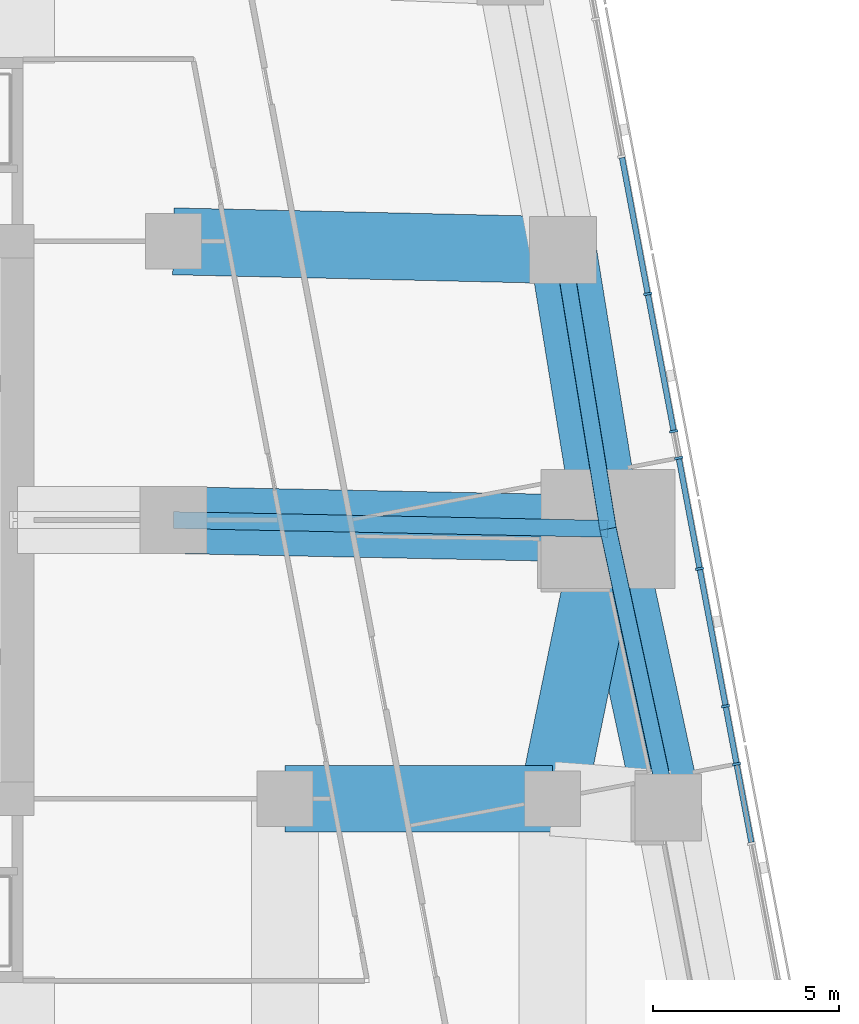
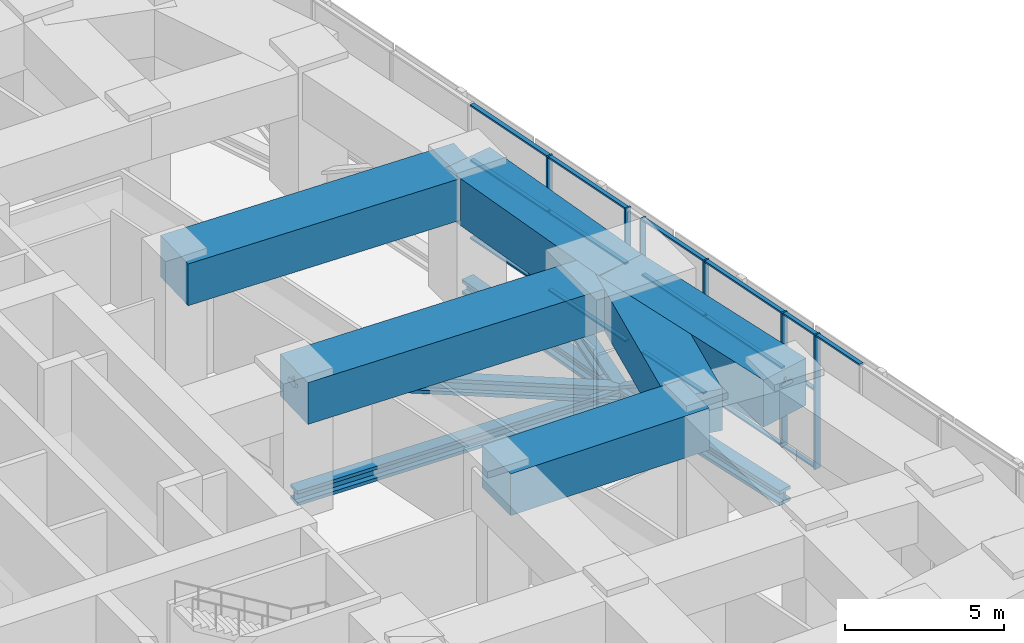
# One storey, part 6 of 17: 28 members, 6 beams, 1 element without a shape of its own.
"""IFC4 building model written with IfcOpenShell, lengths in metres."""

from ifc_helpers import new_model, si_unit, direction, frame, origin, origin_2d, place, context, subcontext, project, spatial, rectangle, i_section, extrude, material, material_profile, profile_set, type_object, element, aggregate, save


model = new_model("IFC4")

# Units and contexts
model_context = context("Model", 3, precision=1e-05, world=origin(), true_north=direction((0.0, 1.0)))
body_context = subcontext(model_context, "Body", "Model", "MODEL_VIEW")
ifc_project = project(units=[si_unit("LENGTHUNIT", "METRE"), si_unit("AREAUNIT", "SQUARE_METRE"), si_unit("VOLUMEUNIT", "CUBIC_METRE"), si_unit("PLANEANGLEUNIT", "RADIAN"), si_unit("MASSUNIT", "GRAM", prefix="KILO")], contexts=[model_context])

# Site, building, storey
site_placement = place(None, origin())
site = spatial("IfcSite", under=ifc_project, at=site_placement, CompositionType="ELEMENT")
building_placement = place(site_placement, origin())
building = spatial("IfcBuilding", under=site, at=building_placement, Name="Sheger Commons Tower", CompositionType="ELEMENT")
storey_placement = place(building_placement, frame((0.0, 0.0, 188.300048828125)))
storey = spatial("IfcBuildingStorey", under=building, at=storey_placement, Name="L48", CompositionType="ELEMENT", Elevation=188.300048828125)

# Beams
ifc_material_1 = material(Name="Concrete C50/60", Category="concrete")
ifc_material_profile_1 = material_profile(ifc_material_1, rectangle(XDim=1.800048828125, YDim=1.60009765625, at=origin_2d()), Name="RC 1800x1600")
ifc_profile_set_1 = profile_set([ifc_material_profile_1], Name="Concrete C50/60")
beam_type_1 = type_object("IfcBeamType", Name="BEAM RC 1800x1600", PredefinedType="BEAM", material=ifc_profile_set_1)
beam_1_placement = place(storey_placement, frame((36.0, 15.0, 4.349853515625), z_axis=(1.0, 0.0, 0.0), x_axis=(0.0, 1.0, 0.0)))
element("IfcBeam", 1, at=beam_1_placement, inside=storey, type_object=beam_type_1, Name="Beam 6/C-7/C under L49", PredefinedType="BEAM", context=body_context, shape_type="SweptSolid", body=[
    extrude(rectangle(XDim=1.800048828125, YDim=1.60009765625, at=origin_2d()), origin(), (0.0, 0.0, 1.0), 7.199951171875),
])
beam_2_placement = place(storey_placement, frame((33.0, 22.5, 4.349853515625), z_axis=(0.999794692776, -0.02026258368, 0.0), x_axis=(0.02026258368, 0.999794692776, 0.0)))
element("IfcBeam", 2, at=beam_2_placement, inside=storey, type_object=beam_type_1, Name="Beam 6-3000/D-7/D under L49", PredefinedType="BEAM", context=body_context, shape_type="SweptSolid", body=[
    extrude(rectangle(XDim=1.800048828125, YDim=1.60009765625, at=origin_2d()), origin(), (0.0, 0.0, 1.0), 11.699462890625),
])
beam_3_placement = place(storey_placement, frame((33.0, 30.0, 4.349853515625), z_axis=(0.999744258625, -0.022614538395, 0.0), x_axis=(0.022614538395, 0.999744258625, 0.0)))
element("IfcBeam", 3, at=beam_3_placement, inside=storey, type_object=beam_type_1, Name="Beam 6-3000/E-E/E under L49", PredefinedType="BEAM", context=body_context, shape_type="SweptSolid", body=[
    extrude(rectangle(XDim=1.800048828125, YDim=1.60009765625, at=origin_2d()), origin(), (0.0, 0.0, 1.0), 10.482666015625),
])
beam_4_placement = place(storey_placement, frame((43.199951171875, 15.0, 4.349853515625), z_axis=(0.201880503661, 0.979410160373, 0.0), x_axis=(-0.979410160373, 0.201880503661, 0.0)))
element("IfcBeam", 4, at=beam_4_placement, inside=storey, type_object=beam_type_1, Name="Beam 7/C-7/D under L49", PredefinedType="BEAM", context=body_context, shape_type="SweptSolid", body=[
    extrude(rectangle(XDim=1.800048828125, YDim=1.60009765625, at=origin_2d()), origin(), (0.0, 0.0, 1.0), 7.41552734375),
])

# Members
ifc_material_2 = material(Name="Steel S460", Category="steel")
ifc_material_profile_2 = material_profile(ifc_material_2, i_section(OverallWidth=0.4541015625, OverallDepth=0.569091796875, WebThickness=0.077880859375, FlangeThickness=0.125, at=origin_2d()), Name="HD 400x1086")
ifc_profile_set_2 = profile_set([ifc_material_profile_2], Name="Steel S460")
member_type_1 = type_object("IfcMemberType", Name="BRACE HD 400x1086", PredefinedType="BRACE", material=ifc_profile_set_2)
member_1_placement = place(storey_placement, frame((33.0, 22.5, 4.849853515625), z_axis=(0.931812546778, -0.01888480689, -0.36244826077), x_axis=(0.02026258368, 0.999794692776, 0.0)))
element("IfcMember", 5, at=member_1_placement, inside=storey, type_object=member_type_1, Name="Outrigger E diagonal 2", PredefinedType="BRACE", context=body_context, shape_type="SweptSolid", body=[
    extrude(i_section(OverallWidth=0.4541015625, OverallDepth=0.569091796875, WebThickness=0.077880859375, FlangeThickness=0.125, at=origin_2d()), origin(), (0.0, 0.0, 1.0), 12.552978515625),
])
ifc_material_3 = material(Name="Steel S460", Category="steel")
ifc_material_profile_3 = material_profile(ifc_material_3, i_section(OverallWidth=0.44189453125, OverallDepth=0.531005859375, WebThickness=0.06591796875, FlangeThickness=0.10595703125, at=origin_2d()), Name="HD 400x900")
ifc_profile_set_3 = profile_set([ifc_material_profile_3], Name="Steel S460")
member_type_2 = type_object("IfcMemberType", Name="BRACE HD 400x900", PredefinedType="BRACE", material=ifc_profile_set_3)
member_2_placement = place(storey_placement, frame((44.697021484375, 22.262939453125, 0.300048828125), z_axis=(0.181273011531, -0.840813364675, 0.510071545055), x_axis=(0.977539943348, 0.210750229323, 0.0)))
element("IfcMember", 6, at=member_2_placement, inside=storey, type_object=member_type_2, Name="Belt truss diagonal 46.314,14.763-44.697,22.263", PredefinedType="BRACE", context=body_context, shape_type="SweptSolid", body=[
    extrude(i_section(OverallWidth=0.44189453125, OverallDepth=0.531005859375, WebThickness=0.06591796875, FlangeThickness=0.10595703125, at=origin_2d()), origin(), (0.0, 0.0, 1.0), 8.919921875),
])
member_3_placement = place(storey_placement, frame((44.697021484375, 22.262939453125, 0.300048828125), z_axis=(-0.137422806885, 0.846866324477, 0.513743516372), x_axis=(-0.987088319884, -0.160176929512, 0.0)))
element("IfcMember", 7, at=member_3_placement, inside=storey, type_object=member_type_2, Name="Belt truss diagonal 44.697,22.263-43.480,29.763", PredefinedType="BRACE", context=body_context, shape_type="SweptSolid", body=[
    extrude(i_section(OverallWidth=0.44189453125, OverallDepth=0.531005859375, WebThickness=0.06591796875, FlangeThickness=0.10595703125, at=origin_2d()), origin(), (0.0, 0.0, 1.0), 8.856201171875),
])
ifc_material_4 = material(Name="Steel S460", Category="steel")
ifc_material_profile_4 = material_profile(ifc_material_4, i_section(OverallWidth=0.4541015625, OverallDepth=0.569091796875, WebThickness=0.077880859375, FlangeThickness=0.125, at=origin_2d()), Name="HD 400x1086")
ifc_profile_set_4 = profile_set([ifc_material_profile_4], Name="Steel S460")
member_type_3 = type_object("IfcMemberType", Name="CHORD HD 400x1086", PredefinedType="CHORD", material=ifc_profile_set_4)
member_4_placement = place(storey_placement, frame((46.31396484375, 14.762939453125, 0.300048828125), z_axis=(-0.210750229323, 0.977539943348, 0.0), x_axis=(-0.977539943348, -0.210750229323, 0.0)))
element("IfcMember", 8, at=member_4_placement, inside=storey, type_object=member_type_3, Name="Belt truss bottom chord 46.314,14.763-44.697,22.263", PredefinedType="CHORD", context=body_context, shape_type="SweptSolid", body=[
    extrude(i_section(OverallWidth=0.4541015625, OverallDepth=0.569091796875, WebThickness=0.077880859375, FlangeThickness=0.125, at=origin_2d()), origin(), (0.0, 0.0, 1.0), 7.67236328125),
])
member_5_placement = place(storey_placement, frame((44.697021484375, 22.262939453125, 0.300048828125), z_axis=(-0.160176929512, 0.987088319884, 0.0), x_axis=(-0.987088319884, -0.160176929512, 0.0)))
element("IfcMember", 9, at=member_5_placement, inside=storey, type_object=member_type_3, Name="Belt truss bottom chord 44.697,22.263-43.480,29.763", PredefinedType="CHORD", context=body_context, shape_type="SweptSolid", body=[
    extrude(i_section(OverallWidth=0.4541015625, OverallDepth=0.569091796875, WebThickness=0.077880859375, FlangeThickness=0.125, at=origin_2d()), origin(), (0.0, 0.0, 1.0), 7.59814453125),
])
member_6_placement = place(storey_placement, frame((33.0, 22.5, 0.300048828125), z_axis=(0.999794692776, -0.02026258368, 0.0), x_axis=(0.02026258368, 0.999794692776, 0.0)))
element("IfcMember", 10, at=member_6_placement, inside=storey, type_object=member_type_3, Name="Outrigger E bottom chord 6-3000/D-44.697,22.263", PredefinedType="CHORD", context=body_context, shape_type="SweptSolid", body=[
    extrude(i_section(OverallWidth=0.4541015625, OverallDepth=0.569091796875, WebThickness=0.077880859375, FlangeThickness=0.125, at=origin_2d()), origin(), (0.0, 0.0, 1.0), 11.699462890625),
])

# Curtain wall, members
ifc_material_5 = material(Name="Black aluminium curtain wall, dark tinted glazing", Category="aluminium")
curtain_wall_type = type_object("IfcCurtainWallType", Name="CURTAIN WALL CW3 SKY FLOOR", PredefinedType="USERDEFINED", material=ifc_material_5)
curtain_wall_placement = place(storey_placement, origin())
curtain_wall = element("IfcCurtainWall", 11, at=curtain_wall_placement, inside=storey, type_object=curtain_wall_type, Name="Curtain Wall Cw3 Sky Floor E1 L48", ObjectType="UNITISED CURTAIN WALL", PredefinedType="USERDEFINED")
ifc_material_6 = material(Name="Black anodised aluminium", Category="aluminium")
ifc_material_profile_5 = material_profile(ifc_material_6, rectangle(XDim=0.22509765625, YDim=0.06494140625, at=origin_2d()), Name="AL 65x225")
ifc_profile_set_5 = profile_set([ifc_material_profile_5], Name="Black anodised aluminium")
member_type_4 = type_object("IfcMemberType", Name="MULLION AL 65x225", PredefinedType="MULLION", material=ifc_profile_set_5)
member_7_placement = place(storey_placement, frame((48.1533203125, 15.93603515625, 0.0), z_axis=(0.0, 0.0, 1.0), x_axis=(-0.982623514181, -0.185609884918, 0.0)))
member_7 = element("IfcMember", 12, at=member_7_placement, type_object=member_type_4, Name="CW3 mullion 5", PredefinedType="MULLION", context=body_context, shape_type="SweptSolid", body=[
    extrude(rectangle(XDim=0.22509765625, YDim=0.06494140625, at=origin_2d()), origin(), (0.0, 0.0, 1.0), 5.14990234375),
])
member_8_placement = place(storey_placement, frame((47.859130859375, 17.493408203125, 0.0), z_axis=(0.0, 0.0, 1.0), x_axis=(-0.982623514181, -0.185609884918, 0.0)))
member_8 = element("IfcMember", 13, at=member_8_placement, type_object=member_type_4, Name="CW3 mullion 6", PredefinedType="MULLION", context=body_context, shape_type="SweptSolid", body=[
    extrude(rectangle(XDim=0.22509765625, YDim=0.06494140625, at=origin_2d()), origin(), (0.0, 0.0, 1.0), 5.14990234375),
])
member_9_placement = place(storey_placement, frame((47.16064453125, 21.191162109375, 0.0), z_axis=(0.0, 0.0, 1.0), x_axis=(-0.982623514181, -0.185609884918, 0.0)))
member_9 = element("IfcMember", 14, at=member_9_placement, type_object=member_type_4, Name="CW3 mullion 7", PredefinedType="MULLION", context=body_context, shape_type="SweptSolid", body=[
    extrude(rectangle(XDim=0.22509765625, YDim=0.06494140625, at=origin_2d()), origin(), (0.0, 0.0, 1.0), 5.14990234375),
])
member_10_placement = place(storey_placement, frame((46.597900390625, 24.17041015625, 0.0), z_axis=(0.0, 0.0, 1.0), x_axis=(-0.982623514181, -0.185609884918, 0.0)))
member_10 = element("IfcMember", 15, at=member_10_placement, type_object=member_type_4, Name="CW3 mullion 8", PredefinedType="MULLION", context=body_context, shape_type="SweptSolid", body=[
    extrude(rectangle(XDim=0.22509765625, YDim=0.06494140625, at=origin_2d()), origin(), (0.0, 0.0, 1.0), 5.14990234375),
])
member_11_placement = place(storey_placement, frame((46.46240234375, 24.888671875, 0.0), z_axis=(0.0, 0.0, 1.0), x_axis=(-0.982623514181, -0.185609884918, 0.0)))
member_11 = element("IfcMember", 16, at=member_11_placement, type_object=member_type_4, Name="CW3 mullion 9", PredefinedType="MULLION", context=body_context, shape_type="SweptSolid", body=[
    extrude(rectangle(XDim=0.22509765625, YDim=0.06494140625, at=origin_2d()), origin(), (0.0, 0.0, 1.0), 5.14990234375),
])
member_12_placement = place(storey_placement, frame((45.763916015625, 28.586181640625, 0.0), z_axis=(0.0, 0.0, 1.0), x_axis=(-0.982623514181, -0.185609884918, 0.0)))
member_12 = element("IfcMember", 17, at=member_12_placement, type_object=member_type_4, Name="CW3 mullion 10", PredefinedType="MULLION", context=body_context, shape_type="SweptSolid", body=[
    extrude(rectangle(XDim=0.22509765625, YDim=0.06494140625, at=origin_2d()), origin(), (0.0, 0.0, 1.0), 5.14990234375),
])

# Beams
ifc_material_7 = material(Name="Concrete C50/60", Category="concrete")
ifc_material_profile_6 = material_profile(ifc_material_7, rectangle(XDim=1.800048828125, YDim=1.800048828125, at=origin_2d()), Name="RC 1800x1800")
ifc_profile_set_6 = profile_set([ifc_material_profile_6], Name="Concrete C50/60")
beam_type_2 = type_object("IfcBeamType", Name="SPANDREL RC 1800x1800", PredefinedType="SPANDREL", material=ifc_profile_set_6)
beam_5_placement = place(storey_placement, frame((46.31396484375, 14.762939453125, 4.25), z_axis=(-0.210750229323, 0.977539943348, 0.0), x_axis=(-0.977539943348, -0.210750229323, 0.0)))
element("IfcBeam", 18, at=beam_5_placement, inside=storey, type_object=beam_type_2, Name="Beam E/C-E/D under L49", PredefinedType="SPANDREL", context=body_context, shape_type="SweptSolid", body=[
    extrude(rectangle(XDim=1.800048828125, YDim=1.800048828125, at=origin_2d()), origin(), (0.0, 0.0, 1.0), 7.67236328125),
])
beam_6_placement = place(storey_placement, frame((44.697021484375, 22.262939453125, 4.25), z_axis=(-0.160176929512, 0.987088319884, 0.0), x_axis=(-0.987088319884, -0.160176929512, 0.0)))
element("IfcBeam", 19, at=beam_6_placement, inside=storey, type_object=beam_type_2, Name="Beam E/D-E/E under L49", PredefinedType="SPANDREL", context=body_context, shape_type="SweptSolid", body=[
    extrude(rectangle(XDim=1.800048828125, YDim=1.800048828125, at=origin_2d()), origin(), (0.0, 0.0, 1.0), 7.59814453125),
])

# Member
ifc_material_8 = material(Name="Black anodised aluminium", Category="aluminium")
ifc_material_profile_7 = material_profile(ifc_material_8, rectangle(XDim=0.14990234375, YDim=0.06494140625, at=origin_2d()), Name="AL 65x150")
ifc_profile_set_7 = profile_set([ifc_material_profile_7], Name="Black anodised aluminium")
member_type_5 = type_object("IfcMemberType", Name="TRANSOM AL 65x150", PredefinedType="USERDEFINED", material=ifc_profile_set_7)
member_13_placement = place(storey_placement, frame((48.551513671875, 13.827880859375, 5.117431640625), z_axis=(-0.185572064419, 0.982630657423, 0.0), x_axis=(-0.982630657423, -0.185572064419, 0.0)))
member_13 = element("IfcMember", 20, at=member_13_placement, type_object=member_type_5, Name="CW3 transom 4.3", ObjectType="TRANSOM", PredefinedType="USERDEFINED", context=body_context, shape_type="SweptSolid", body=[
    extrude(rectangle(XDim=0.14990234375, YDim=0.06494140625, at=origin_2d()), origin(), (0.0, 0.0, 1.0), 2.11279296875),
])

member_14_placement = place(storey_placement, frame((48.1474609375, 15.968017578125, 0.032470703125), z_axis=(-0.18569466495, 0.982607496109, 0.0), x_axis=(-0.982607496109, -0.18569466495, 0.0)))
member_14 = element("IfcMember", 21, at=member_14_placement, type_object=member_type_5, Name="CW3 transom 5.1", ObjectType="TRANSOM", PredefinedType="USERDEFINED", context=body_context, shape_type="SweptSolid", body=[
    extrude(rectangle(XDim=0.14990234375, YDim=0.06494140625, at=origin_2d()), origin(), (0.0, 0.0, 1.0), 1.519775390625),
])

member_15_placement = place(storey_placement, frame((48.1474609375, 15.968017578125, 3.0), z_axis=(-0.18569466495, 0.982607496109, 0.0), x_axis=(-0.982607496109, -0.18569466495, 0.0)))
member_15 = element("IfcMember", 22, at=member_15_placement, type_object=member_type_5, Name="CW3 transom 5.2", ObjectType="TRANSOM", PredefinedType="USERDEFINED", context=body_context, shape_type="SweptSolid", body=[
    extrude(rectangle(XDim=0.14990234375, YDim=0.06494140625, at=origin_2d()), origin(), (0.0, 0.0, 1.0), 1.519775390625),
])

member_16_placement = place(storey_placement, frame((48.1474609375, 15.968017578125, 5.117431640625), z_axis=(-0.18569466495, 0.982607496109, 0.0), x_axis=(-0.982607496109, -0.18569466495, 0.0)))
member_16 = element("IfcMember", 23, at=member_16_placement, type_object=member_type_5, Name="CW3 transom 5.3", ObjectType="TRANSOM", PredefinedType="USERDEFINED", context=body_context, shape_type="SweptSolid", body=[
    extrude(rectangle(XDim=0.14990234375, YDim=0.06494140625, at=origin_2d()), origin(), (0.0, 0.0, 1.0), 1.519775390625),
])

member_17_placement = place(storey_placement, frame((47.853271484375, 17.525390625, 0.032470703125), z_axis=(-0.18564360451, 0.982617144215, 0.0), x_axis=(-0.982617144215, -0.18564360451, 0.0)))
member_17 = element("IfcMember", 24, at=member_17_placement, type_object=member_type_5, Name="CW3 transom 6.1", ObjectType="TRANSOM", PredefinedType="USERDEFINED", context=body_context, shape_type="SweptSolid", body=[
    extrude(rectangle(XDim=0.14990234375, YDim=0.06494140625, at=origin_2d()), origin(), (0.0, 0.0, 1.0), 3.697998046875),
])

member_18_placement = place(storey_placement, frame((47.853271484375, 17.525390625, 3.0), z_axis=(-0.18564360451, 0.982617144215, 0.0), x_axis=(-0.982617144215, -0.18564360451, 0.0)))
member_18 = element("IfcMember", 25, at=member_18_placement, type_object=member_type_5, Name="CW3 transom 6.2", ObjectType="TRANSOM", PredefinedType="USERDEFINED", context=body_context, shape_type="SweptSolid", body=[
    extrude(rectangle(XDim=0.14990234375, YDim=0.06494140625, at=origin_2d()), origin(), (0.0, 0.0, 1.0), 3.697998046875),
])

member_19_placement = place(storey_placement, frame((47.853271484375, 17.525390625, 5.117431640625), z_axis=(-0.18564360451, 0.982617144215, 0.0), x_axis=(-0.982617144215, -0.18564360451, 0.0)))
member_19 = element("IfcMember", 26, at=member_19_placement, type_object=member_type_5, Name="CW3 transom 6.3", ObjectType="TRANSOM", PredefinedType="USERDEFINED", context=body_context, shape_type="SweptSolid", body=[
    extrude(rectangle(XDim=0.14990234375, YDim=0.06494140625, at=origin_2d()), origin(), (0.0, 0.0, 1.0), 3.697998046875),
])

member_20_placement = place(storey_placement, frame((47.15478515625, 21.222900390625, 0.032470703125), z_axis=(-0.185629726367, 0.982619766079, 0.0), x_axis=(-0.982619766079, -0.185629726367, 0.0)))
member_20 = element("IfcMember", 27, at=member_20_placement, type_object=member_type_5, Name="CW3 transom 7.1", ObjectType="TRANSOM", PredefinedType="USERDEFINED", context=body_context, shape_type="SweptSolid", body=[
    extrude(rectangle(XDim=0.14990234375, YDim=0.06494140625, at=origin_2d()), origin(), (0.0, 0.0, 1.0), 2.967041015625),
])

member_21_placement = place(storey_placement, frame((47.15478515625, 21.222900390625, 3.0), z_axis=(-0.185629726367, 0.982619766079, 0.0), x_axis=(-0.982619766079, -0.185629726367, 0.0)))
member_21 = element("IfcMember", 28, at=member_21_placement, type_object=member_type_5, Name="CW3 transom 7.2", ObjectType="TRANSOM", PredefinedType="USERDEFINED", context=body_context, shape_type="SweptSolid", body=[
    extrude(rectangle(XDim=0.14990234375, YDim=0.06494140625, at=origin_2d()), origin(), (0.0, 0.0, 1.0), 2.967041015625),
])

member_22_placement = place(storey_placement, frame((47.15478515625, 21.222900390625, 5.117431640625), z_axis=(-0.185629726367, 0.982619766079, 0.0), x_axis=(-0.982619766079, -0.185629726367, 0.0)))
member_22 = element("IfcMember", 29, at=member_22_placement, type_object=member_type_5, Name="CW3 transom 7.3", ObjectType="TRANSOM", PredefinedType="USERDEFINED", context=body_context, shape_type="SweptSolid", body=[
    extrude(rectangle(XDim=0.14990234375, YDim=0.06494140625, at=origin_2d()), origin(), (0.0, 0.0, 1.0), 2.967041015625),
])

member_23_placement = place(storey_placement, frame((46.456298828125, 24.920654296875, 0.032470703125), z_axis=(-0.18564360451, 0.982617144215, 0.0), x_axis=(-0.982617144215, -0.18564360451, 0.0)))
member_23 = element("IfcMember", 30, at=member_23_placement, type_object=member_type_5, Name="CW3 transom 9.1", ObjectType="TRANSOM", PredefinedType="USERDEFINED", context=body_context, shape_type="SweptSolid", body=[
    extrude(rectangle(XDim=0.14990234375, YDim=0.06494140625, at=origin_2d()), origin(), (0.0, 0.0, 1.0), 3.697998046875),
])

member_24_placement = place(storey_placement, frame((46.456298828125, 24.920654296875, 3.0), z_axis=(-0.18564360451, 0.982617144215, 0.0), x_axis=(-0.982617144215, -0.18564360451, 0.0)))
member_24 = element("IfcMember", 31, at=member_24_placement, type_object=member_type_5, Name="CW3 transom 9.2", ObjectType="TRANSOM", PredefinedType="USERDEFINED", context=body_context, shape_type="SweptSolid", body=[
    extrude(rectangle(XDim=0.14990234375, YDim=0.06494140625, at=origin_2d()), origin(), (0.0, 0.0, 1.0), 3.697998046875),
])

member_25_placement = place(storey_placement, frame((46.456298828125, 24.920654296875, 5.117431640625), z_axis=(-0.18564360451, 0.982617144215, 0.0), x_axis=(-0.982617144215, -0.18564360451, 0.0)))
member_25 = element("IfcMember", 32, at=member_25_placement, type_object=member_type_5, Name="CW3 transom 9.3", ObjectType="TRANSOM", PredefinedType="USERDEFINED", context=body_context, shape_type="SweptSolid", body=[
    extrude(rectangle(XDim=0.14990234375, YDim=0.06494140625, at=origin_2d()), origin(), (0.0, 0.0, 1.0), 3.697998046875),
])

member_26_placement = place(storey_placement, frame((45.7578125, 28.6181640625, 0.032470703125), z_axis=(-0.185579860214, 0.982629185137, 0.0), x_axis=(-0.982629185137, -0.185579860214, 0.0)))
member_26 = element("IfcMember", 33, at=member_26_placement, type_object=member_type_5, Name="CW3 transom 10.1", ObjectType="TRANSOM", PredefinedType="USERDEFINED", context=body_context, shape_type="SweptSolid", body=[
    extrude(rectangle(XDim=0.14990234375, YDim=0.06494140625, at=origin_2d()), origin(), (0.0, 0.0, 1.0), 3.697998046875),
])

member_27_placement = place(storey_placement, frame((45.7578125, 28.6181640625, 3.0), z_axis=(-0.185579860214, 0.982629185137, 0.0), x_axis=(-0.982629185137, -0.185579860214, 0.0)))
member_27 = element("IfcMember", 34, at=member_27_placement, type_object=member_type_5, Name="CW3 transom 10.2", ObjectType="TRANSOM", PredefinedType="USERDEFINED", context=body_context, shape_type="SweptSolid", body=[
    extrude(rectangle(XDim=0.14990234375, YDim=0.06494140625, at=origin_2d()), origin(), (0.0, 0.0, 1.0), 3.697998046875),
])

member_28_placement = place(storey_placement, frame((45.7578125, 28.6181640625, 5.117431640625), z_axis=(-0.185579860214, 0.982629185137, 0.0), x_axis=(-0.982629185137, -0.185579860214, 0.0)))
member_28 = element("IfcMember", 35, at=member_28_placement, type_object=member_type_5, Name="CW3 transom 10.3", ObjectType="TRANSOM", PredefinedType="USERDEFINED", context=body_context, shape_type="SweptSolid", body=[
    extrude(rectangle(XDim=0.14990234375, YDim=0.06494140625, at=origin_2d()), origin(), (0.0, 0.0, 1.0), 3.697998046875),
])

aggregate(curtain_wall, [member_7, member_8, member_9, member_10, member_11, member_12, member_13, member_14, member_15, member_16, member_17, member_18, member_19, member_20, member_21, member_22, member_23, member_24, member_25, member_26, member_27, member_28])

save(model, "model.ifc")
